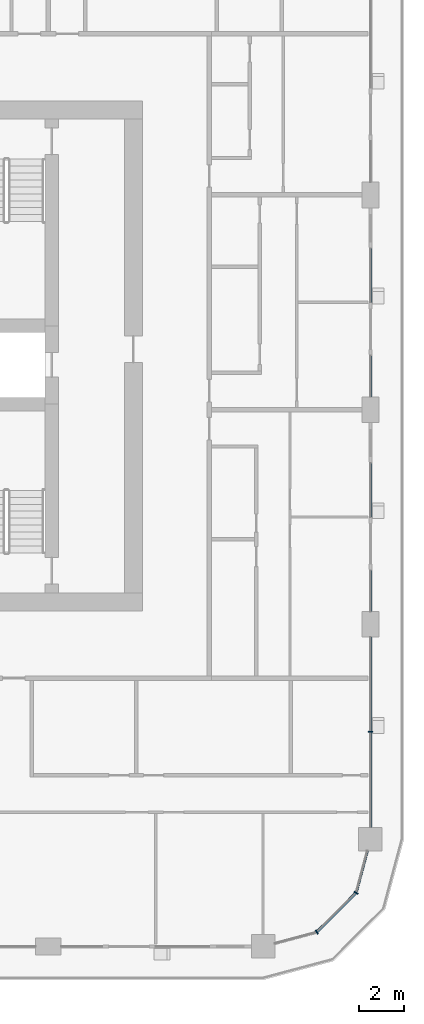
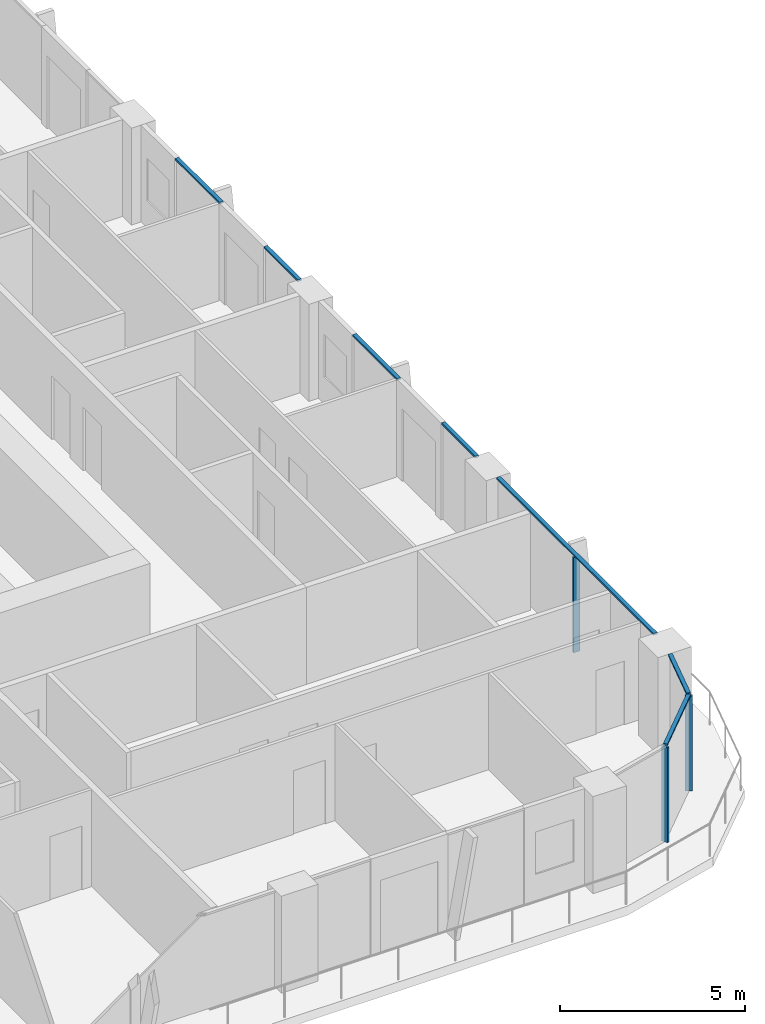
# One storey, part 4 of 22: 10 members, 4 elements without a shape of their own.
"""IFC4 building model written with IfcOpenShell, lengths in metres."""

from ifc_helpers import new_model, si_unit, direction, frame, origin, origin_2d, place, context, subcontext, project, spatial, rectangle, extrude, material, layer, layer_set, material_profile, profile_set, type_object, element, aggregate, save


model = new_model("IFC4")

# Units and contexts
model_context = context("Model", 3, precision=1e-05, world=origin(), true_north=direction((0.0, 1.0)))
body_context = subcontext(model_context, "Body", "Model", "MODEL_VIEW")
ifc_project = project(units=[si_unit("LENGTHUNIT", "METRE"), si_unit("AREAUNIT", "SQUARE_METRE"), si_unit("VOLUMEUNIT", "CUBIC_METRE"), si_unit("PLANEANGLEUNIT", "RADIAN"), si_unit("MASSUNIT", "GRAM", prefix="KILO")], contexts=[model_context])

# Site, building, storey
site_placement = place(None, origin())
site = spatial("IfcSite", under=ifc_project, at=site_placement, CompositionType="ELEMENT")
building_placement = place(site_placement, origin())
building = spatial("IfcBuilding", under=site, at=building_placement, Name="Madar Terraces", CompositionType="ELEMENT")
storey_placement = place(building_placement, frame((0.0, 0.0, 152.5)))
storey = spatial("IfcBuildingStorey", under=building, at=storey_placement, Name="L39", CompositionType="ELEMENT", Elevation=152.5)

# Curtain wall, member
ifc_material_1 = material(Name="Glass, ceramic frit dark grey, with black aluminium frame", Category="aluminium")
ifc_layer = layer(ifc_material_1, 0.199951171875)
ifc_layer_set = layer_set([ifc_layer], Name="Facade curtain wall, fritted glass")
curtain_wall_type = type_object("IfcCurtainWallType", Name="Facade curtain wall, fritted glass", PredefinedType="NOTDEFINED", material=ifc_layer_set)
curtain_wall_1_placement = place(storey_placement, origin())
curtain_wall_1 = element("IfcCurtainWall", 1, at=curtain_wall_1_placement, inside=storey, type_object=curtain_wall_type, Name="Outer skin curtain wall east bay 1", PredefinedType="NOTDEFINED")
ifc_material_2 = material(Name="Aluminium, black anodised", Category="aluminium")
ifc_material_profile_1 = material_profile(ifc_material_2, rectangle(XDim=0.199951171875, YDim=0.06005859375, at=origin_2d()), Name="Facade mullion 60x200")
ifc_profile_set_1 = profile_set([ifc_material_profile_1], Name="Aluminium, black anodised")
member_type_1 = type_object("IfcMemberType", Name="Facade mullion 60x200", PredefinedType="MULLION", material=ifc_profile_set_1)
member_1_placement = place(storey_placement, frame((57.60009765625, 9.60009765625, 0.0), z_axis=(0.0, 0.0, 1.0), x_axis=(-1.0, 0.0, 0.0)))
member_1 = element("IfcMember", 2, at=member_1_placement, type_object=member_type_1, Name="Mullion 1", PredefinedType="MULLION", context=body_context, shape_type="SweptSolid", body=[
    extrude(rectangle(XDim=0.199951171875, YDim=0.06005859375, at=origin_2d()), origin(), (0.0, 0.0, 1.0), 3.139892578125),
])

# Curtain wall, members
curtain_wall_2_placement = place(storey_placement, origin())
curtain_wall_2 = element("IfcCurtainWall", 3, at=curtain_wall_2_placement, inside=storey, type_object=curtain_wall_type, Name="Outer skin curtain wall south-east corner", PredefinedType="NOTDEFINED")
member_2_placement = place(storey_placement, frame((55.199951171875, 0.64306640625, 0.0), z_axis=(0.0, 0.0, 1.0), x_axis=(-0.499999989586, 0.866025409797, 0.0)))
member_2 = element("IfcMember", 4, at=member_2_placement, type_object=member_type_1, Name="Mullion 1", PredefinedType="MULLION", context=body_context, shape_type="SweptSolid", body=[
    extrude(rectangle(XDim=0.199951171875, YDim=0.06005859375, at=origin_2d()), origin(), (0.0, 0.0, 1.0), 3.139892578125),
])
member_3_placement = place(storey_placement, frame((56.95703125, 2.39990234375, 0.0), z_axis=(0.0, 0.0, 1.0), x_axis=(-0.866025409797, 0.499999989586, 0.0)))
member_3 = element("IfcMember", 5, at=member_3_placement, type_object=member_type_1, Name="Mullion 2", PredefinedType="MULLION", context=body_context, shape_type="SweptSolid", body=[
    extrude(rectangle(XDim=0.199951171875, YDim=0.06005859375, at=origin_2d()), origin(), (0.0, 0.0, 1.0), 3.139892578125),
])

# Member
ifc_material_3 = material(Name="Aluminium, black anodised", Category="aluminium")
ifc_material_profile_2 = material_profile(ifc_material_3, rectangle(XDim=0.1201171875, YDim=0.06005859375, at=origin_2d()), Name="Facade transom 60x120")
ifc_profile_set_2 = profile_set([ifc_material_profile_2], Name="Aluminium, black anodised")
member_type_2 = type_object("IfcMemberType", Name="Facade transom 60x120", PredefinedType="USERDEFINED", material=ifc_profile_set_2)
member_4_placement = place(storey_placement, frame((57.60009765625, 5.324951171875, 3.169921875), z_axis=(0.0, 1.0, 0.0), x_axis=(-1.0, 0.0, 0.0)))
member_4 = element("IfcMember", 6, at=member_4_placement, type_object=member_type_2, Name="Transom 1", ObjectType="TRANSOM", PredefinedType="USERDEFINED", context=body_context, shape_type="SweptSolid", body=[
    extrude(rectangle(XDim=0.1201171875, YDim=0.06005859375, at=origin_2d()), origin(), (0.0, 0.0, 1.0), 8.5),
])

aggregate(curtain_wall_1, [member_1, member_4])

# Curtain wall, members
curtain_wall_3_placement = place(storey_placement, origin())
curtain_wall_3 = element("IfcCurtainWall", 7, at=curtain_wall_3_placement, inside=storey, type_object=curtain_wall_type, Name="Outer skin curtain wall east bay 2", PredefinedType="NOTDEFINED")
member_5_placement = place(storey_placement, frame((57.60009765625, 14.97509765625, 3.169921875), z_axis=(0.0, 1.0, 0.0), x_axis=(-1.0, 0.0, 0.0)))
member_5 = element("IfcMember", 8, at=member_5_placement, type_object=member_type_2, Name="Transom 1", ObjectType="TRANSOM", PredefinedType="USERDEFINED", context=body_context, shape_type="SweptSolid", body=[
    extrude(rectangle(XDim=0.1201171875, YDim=0.06005859375, at=origin_2d()), origin(), (0.0, 0.0, 1.0), 1.824951171875),
])
member_6_placement = place(storey_placement, frame((57.60009765625, 19.199951171875, 3.169921875), z_axis=(0.0, 1.0, 0.0), x_axis=(-1.0, 0.0, 0.0)))
member_6 = element("IfcMember", 9, at=member_6_placement, type_object=member_type_2, Name="Transom 2", ObjectType="TRANSOM", PredefinedType="USERDEFINED", context=body_context, shape_type="SweptSolid", body=[
    extrude(rectangle(XDim=0.1201171875, YDim=0.06005859375, at=origin_2d()), origin(), (0.0, 0.0, 1.0), 2.400146484375),
])
aggregate(curtain_wall_3, [member_5, member_6])

curtain_wall_4_placement = place(storey_placement, origin())
curtain_wall_4 = element("IfcCurtainWall", 10, at=curtain_wall_4_placement, inside=storey, type_object=curtain_wall_type, Name="Outer skin curtain wall east bay 3", PredefinedType="NOTDEFINED")
member_7_placement = place(storey_placement, frame((57.60009765625, 24.574951171875, 3.169921875), z_axis=(0.0, 1.0, 0.0), x_axis=(-1.0, 0.0, 0.0)))
member_7 = element("IfcMember", 11, at=member_7_placement, type_object=member_type_2, Name="Transom 1", ObjectType="TRANSOM", PredefinedType="USERDEFINED", context=body_context, shape_type="SweptSolid", body=[
    extrude(rectangle(XDim=0.1201171875, YDim=0.06005859375, at=origin_2d()), origin(), (0.0, 0.0, 1.0), 1.824951171875),
])
member_8_placement = place(storey_placement, frame((57.60009765625, 28.800048828125, 3.169921875), z_axis=(0.0, 1.0, 0.0), x_axis=(-1.0, 0.0, 0.0)))
member_8 = element("IfcMember", 12, at=member_8_placement, type_object=member_type_2, Name="Transom 2", ObjectType="TRANSOM", PredefinedType="USERDEFINED", context=body_context, shape_type="SweptSolid", body=[
    extrude(rectangle(XDim=0.1201171875, YDim=0.06005859375, at=origin_2d()), origin(), (0.0, 0.0, 1.0), 2.39990234375),
])
aggregate(curtain_wall_4, [member_7, member_8])

# Member
member_9_placement = place(storey_placement, frame((55.22119140625, 0.664306640625, 3.169921875), z_axis=(0.707106781187, 0.707106781187, 0.0), x_axis=(-0.707106781187, 0.707106781187, 0.0)))
member_9 = element("IfcMember", 13, at=member_9_placement, type_object=member_type_2, Name="Transom 2", ObjectType="TRANSOM", PredefinedType="USERDEFINED", context=body_context, shape_type="SweptSolid", body=[
    extrude(rectangle(XDim=0.1201171875, YDim=0.06005859375, at=origin_2d()), origin(), (0.0, 0.0, 1.0), 2.4248046875),
])

member_10_placement = place(storey_placement, frame((56.964599609375, 2.428955078125, 3.169921875), z_axis=(0.258823354654, 0.965924671538, 0.0), x_axis=(-0.965924671538, 0.258823354654, 0.0)))
member_10 = element("IfcMember", 14, at=member_10_placement, type_object=member_type_2, Name="Transom 3", ObjectType="TRANSOM", PredefinedType="USERDEFINED", context=body_context, shape_type="SweptSolid", body=[
    extrude(rectangle(XDim=0.1201171875, YDim=0.06005859375, at=origin_2d()), origin(), (0.0, 0.0, 1.0), 1.9111328125),
])

aggregate(curtain_wall_2, [member_2, member_3, member_9, member_10])

save(model, "model.ifc")
